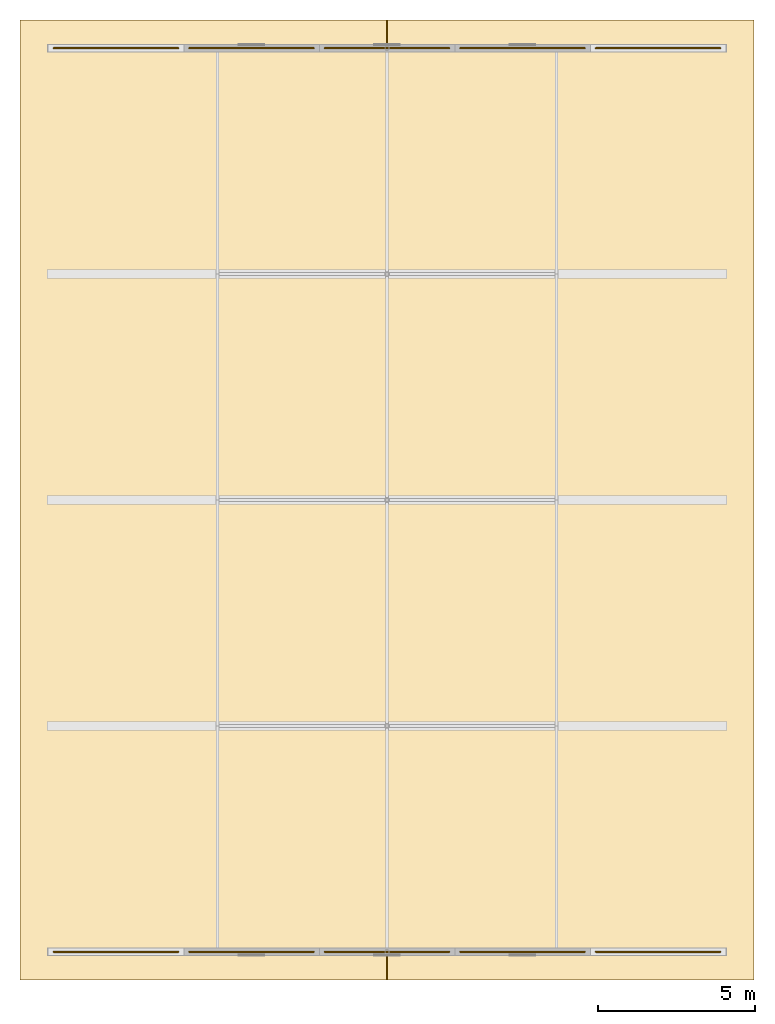
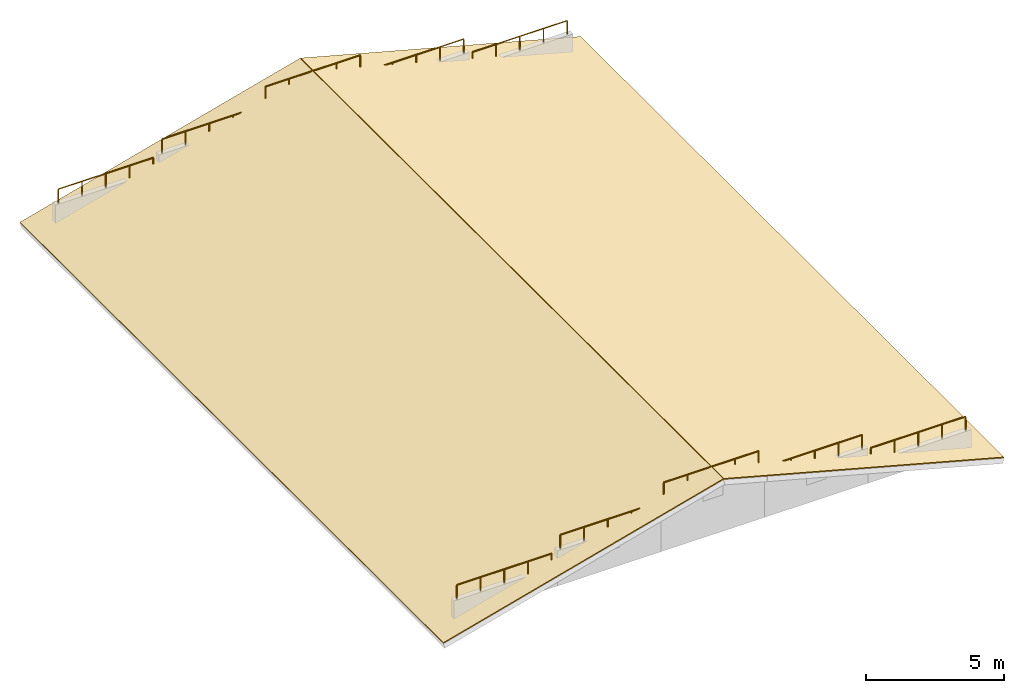
# One storey, part 8 of 8: 10 railings, 2 coverings.
"""IFC4 building model written with IfcOpenShell, lengths in metres."""

from ifc_helpers import new_model, si_unit, direction, frame, origin, origin_2d, place, context, subcontext, project, spatial, polyline, circle, outline, extrude, material, layer, layer_set, type_object, element, save


model = new_model("IFC4")

# Units and contexts
model_context = context("Model", 3, precision=1e-05, world=origin(), true_north=direction((0.0, 1.0)))
body_context = subcontext(model_context, "Body", "Model", "MODEL_VIEW")
ifc_project = project(units=[si_unit("LENGTHUNIT", "METRE"), si_unit("AREAUNIT", "SQUARE_METRE"), si_unit("VOLUMEUNIT", "CUBIC_METRE"), si_unit("PLANEANGLEUNIT", "RADIAN"), si_unit("MASSUNIT", "GRAM", prefix="KILO"), si_unit("THERMODYNAMICTEMPERATUREUNIT", "KELVIN"), si_unit("POWERUNIT", "WATT")], contexts=[model_context])

# Site, building, storey
site_placement = place(None, origin())
site = spatial("IfcSite", under=ifc_project, at=site_placement, CompositionType="ELEMENT")
building_placement = place(site_placement, origin())
building = spatial("IfcBuilding", under=site, at=building_placement, Name="Tavuni Mirador Residences", CompositionType="ELEMENT")
storey_placement = place(building_placement, frame((0.0, 0.0, 51.75)))
storey = spatial("IfcBuildingStorey", under=building, at=storey_placement, Name="RF", CompositionType="ELEMENT", Elevation=51.75)

# Coverings
ifc_material_1 = material(Name="Glazed ceramic roof tile", Category="masonry")
ifc_layer = layer(ifc_material_1, 0.044921875, Name="Glazed ceramic roof tile", Category="masonry")
ifc_layer_set = layer_set([ifc_layer], Name="Glazed ceramic roof tile")
covering_type = type_object("IfcCoveringType", Name="CVT-ROOF-TILE", PredefinedType="ROOFING", material=ifc_layer_set)
for number, where, z_axis, x_axis, name in (
    (1, (2.699951171875, 6.300048828125, -0.19677734375), (-0.259594385417, 0.0, 0.965717740885), (0.965717740885, 0.0, 0.259594385417), "COV-RF-BLK-A-W"),
    (2, (14.412109375, 6.300048828125, 2.945068359375), (0.259594385417, 0.0, 0.965717740885), (0.965717740885, 0.0, -0.259594385417), "COV-RF-BLK-A-E"),
):
    element("IfcCovering", number, at=place(storey_placement, frame(where, z_axis=z_axis, x_axis=x_axis)), inside=storey, type_object=covering_type, Name=name, PredefinedType="ROOFING", context=body_context, shape_type="SweptSolid", body=[
        extrude(outline(polyline([(0.0, 0.0), (12.10290314283653, 0.0), (12.10290314283653, 30.599853515624996), (0.0, 30.599853515624996), (0.0, 0.0)])), origin(), (0.0, 0.0, -1.0), 0.044921875),
    ])

# Railings
ifc_material_2 = material(Name="Structural steel S355", Category="steel")
railing_type = type_object("IfcRailingType", Name="RT-CR650", PredefinedType="BALUSTRADE", material=ifc_material_2)
for number, where, name in (
    (3, (3.780029296875, 7.199951171875, 0.800048828125), "CREST-BLK-A-X0-0"),
    (4, (8.10009765625, 7.199951171875, 1.5), "CREST-BLK-A-X0-1"),
    (5, (12.419921875, 7.199951171875, 2.300048828125), "CREST-BLK-A-X0-2"),
    (6, (16.739990234375, 7.199951171875, 1.5), "CREST-BLK-A-X0-3"),
    (7, (21.06005859375, 7.199951171875, 0.800048828125), "CREST-BLK-A-X0-4"),
    (8, (3.780029296875, 36.0, 0.800048828125), "CREST-BLK-A-X1-0"),
    (9, (8.10009765625, 36.0, 1.5), "CREST-BLK-A-X1-1"),
    (10, (12.419921875, 36.0, 2.300048828125), "CREST-BLK-A-X1-2"),
    (11, (16.739990234375, 36.0, 1.5), "CREST-BLK-A-X1-3"),
    (12, (21.06005859375, 36.0, 0.800048828125), "CREST-BLK-A-X1-4"),
):
    element("IfcRailing", number, at=place(storey_placement, frame(where)), inside=storey, type_object=railing_type, Name=name, PredefinedType="BALUSTRADE", context=body_context, shape_type="SweptSolid", body=[
        extrude(circle(Radius=0.02392578125, at=origin_2d()), frame((0.0, 0.0, 0.6259765625), z_axis=(1.0, 0.0, 0.0), x_axis=(0.0, 1.0, 0.0)), (0.0, 0.0, 1.0), 3.9599609375),
        extrude(circle(Radius=0.02099609375, at=origin_2d()), origin(), (0.0, 0.0, 1.0), 0.601806640625),
        extrude(circle(Radius=0.02099609375, at=origin_2d()), frame((0.989990234375, 0.0, 0.0)), (0.0, 0.0, 1.0), 0.601806640625),
        extrude(circle(Radius=0.02099609375, at=origin_2d()), frame((1.97998046875, 0.0, 0.0)), (0.0, 0.0, 1.0), 0.601806640625),
        extrude(circle(Radius=0.02099609375, at=origin_2d()), frame((2.969970703125, 0.0, 0.0)), (0.0, 0.0, 1.0), 0.601806640625),
        extrude(circle(Radius=0.02099609375, at=origin_2d()), frame((3.9599609375, 0.0, 0.0)), (0.0, 0.0, 1.0), 0.601806640625),
    ])

save(model, "model.ifc")
